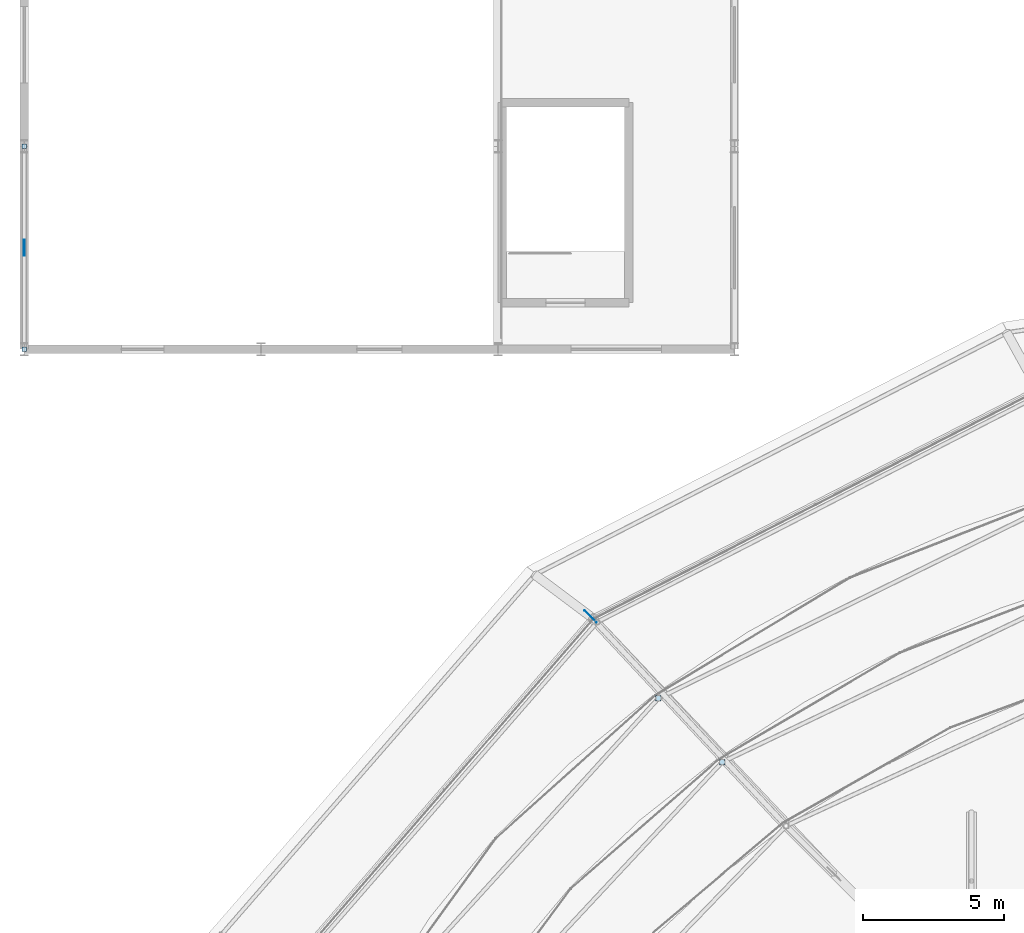
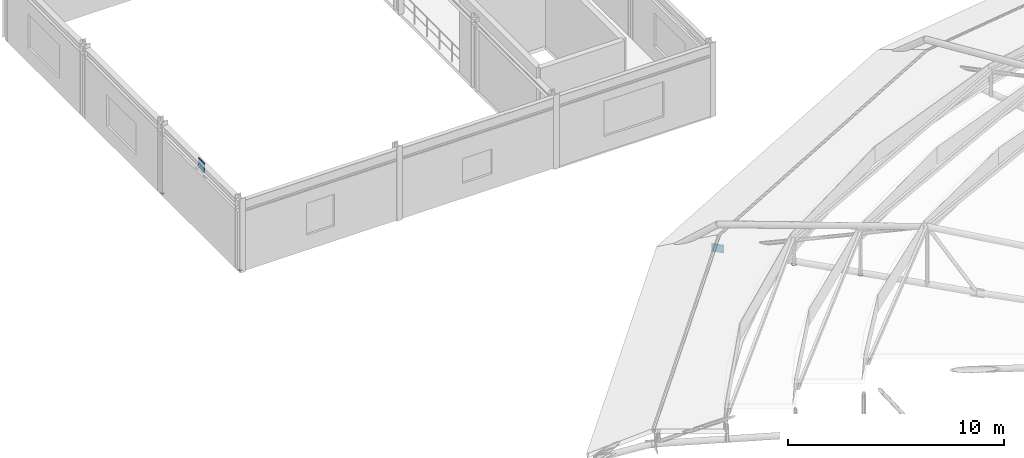
# One storey, part 119 of 134: 6 plates.
"""IFC4 building model written with IfcOpenShell, lengths in metres."""

from ifc_helpers import new_model, si_unit, derived_unit, direction, frame, origin, origin_2d, place, context, subcontext, project, spatial, rectangle, extrude, material, layer, layer_set, type_object, element, save


model = new_model("IFC4")

# Units and contexts
model_context = context("Model", 3, precision=1e-05, world=origin(), true_north=direction((0.0, 1.0)))
body_context = subcontext(model_context, "Body", "Model", "MODEL_VIEW")
ifc_project = project(units=[si_unit("LENGTHUNIT", "METRE"), si_unit("AREAUNIT", "SQUARE_METRE"), si_unit("VOLUMEUNIT", "CUBIC_METRE"), si_unit("PLANEANGLEUNIT", "RADIAN"), si_unit("MASSUNIT", "GRAM", prefix="KILO"), derived_unit("THERMALTRANSMITTANCEUNIT", [(si_unit("MASSUNIT", "GRAM", prefix="KILO"), 1), (si_unit("TIMEUNIT", "SECOND"), -3), (si_unit("THERMODYNAMICTEMPERATUREUNIT", "KELVIN"), -1)])], contexts=[model_context])

# Site, building, storey
site_placement = place(None, origin())
site = spatial("IfcSite", under=ifc_project, at=site_placement, CompositionType="ELEMENT")
building_placement = place(site_placement, origin())
building = spatial("IfcBuilding", under=site, at=building_placement, Name="Kharveza Railside Sports Centre", CompositionType="ELEMENT")
storey_placement = place(building_placement, frame((0.0, 0.0, 12.89990234375)))
storey = spatial("IfcBuildingStorey", under=building, at=storey_placement, Name="L03", CompositionType="ELEMENT", Elevation=12.89990234375)

# Plates
ifc_material = material(Name="Steel S355J2", Category="steel")
ifc_layer_1 = layer(ifc_material, 0.02001953125, Name="Steel S355J2")
ifc_layer_set_1 = layer_set([ifc_layer_1], Name="Steel S355J2")
plate_type_1 = type_object("IfcPlateType", Name="PL-EC09", PredefinedType="USERDEFINED", material=ifc_layer_set_1)
for number, where, z_axis, x_axis, name in (
    (1, (22.497314453125, 74.017333984375, -0.059814453125), (0.0, 0.0, 1.0), (1.0, 0.0, 0.0), "PLT-EC-026"),
    (2, (24.760009765625, 71.754638671875, -0.059814453125), (0.0, 0.0, 1.0), (1.0, 0.0, 0.0), "PLT-EC-042"),
):
    element("IfcPlate", number, at=place(storey_placement, frame(where, z_axis=z_axis, x_axis=x_axis)), inside=storey, type_object=plate_type_1, Name=name, ObjectType="END_CAP_PLATE", PredefinedType="USERDEFINED", context=body_context, shape_type="SweptSolid", body=[
        extrude(rectangle(XDim=0.194091796875, YDim=0.194091796875, at=origin_2d()), origin(), (0.0, 0.0, 1.0), 0.02001953125),
    ])
ifc_layer_2 = layer(ifc_material, 0.02001953125, Name="Steel S355J2")
ifc_layer_set_2 = layer_set([ifc_layer_2], Name="Steel S355J2")
plate_type_2 = type_object("IfcPlateType", Name="PL-EC11", PredefinedType="USERDEFINED", material=ifc_layer_set_2)
for number, where, z_axis, x_axis, name in (
    (3, (0.0, 86.39990234375, -0.010009765625), (0.0, 0.0, 1.0), (1.0, 0.0, 0.0), "PLT-EC-186"),
    (4, (0.0, 93.60009765625, -0.010009765625), (0.0, 0.0, 1.0), (1.0, 0.0, 0.0), "PLT-EC-187"),
):
    element("IfcPlate", number, at=place(storey_placement, frame(where, z_axis=z_axis, x_axis=x_axis)), inside=storey, type_object=plate_type_2, Name=name, ObjectType="END_CAP_PLATE", PredefinedType="USERDEFINED", context=body_context, shape_type="SweptSolid", body=[
        extrude(rectangle(XDim=0.14990234375, YDim=0.14990234375, at=origin_2d()), origin(), (0.0, 0.0, 1.0), 0.02001953125),
    ])
ifc_layer_3 = layer(ifc_material, 0.02490234375, Name="Steel S355J2")
ifc_layer_set_3 = layer_set([ifc_layer_3], Name="Steel S355J2")
plate_type_3 = type_object("IfcPlateType", Name="PL-GS02", PredefinedType="USERDEFINED", material=ifc_layer_set_3)
plate_1_placement = place(storey_placement, frame((20.09326171875, 76.91650390625, -0.27978515625), z_axis=(0.0, 0.0, 1.0), x_axis=(-0.707106781187, 0.707106781187, 0.0)))
element("IfcPlate", 5, at=plate_1_placement, inside=storey, type_object=plate_type_3, Name="PLT-GS-RAKER-07", ObjectType="GUSSET_PLATE", PredefinedType="USERDEFINED", context=body_context, shape_type="SweptSolid", body=[
    extrude(rectangle(XDim=0.60009765625, YDim=0.02490234375, at=origin_2d()), origin(), (0.0, 0.0, 1.0), 0.4599609375),
])
ifc_layer_4 = layer(ifc_material, 0.028076171875, Name="Steel S355J2")
ifc_layer_set_4 = layer_set([ifc_layer_4], Name="Steel S355J2")
plate_type_4 = type_object("IfcPlateType", Name="PL-GS05", PredefinedType="USERDEFINED", material=ifc_layer_set_4)
plate_2_placement = place(storey_placement, frame((0.0, 90.0, 3.469970703125), z_axis=(0.0, 0.0, 1.0), x_axis=(1.0, 0.0, 0.0)))
element("IfcPlate", 6, at=plate_2_placement, inside=storey, type_object=plate_type_4, Name="PLT-GS-CHEVN-026", ObjectType="GUSSET_PLATE", PredefinedType="USERDEFINED", context=body_context, shape_type="SweptSolid", body=[
    extrude(rectangle(XDim=0.028076171875, YDim=0.56005859375, at=origin_2d()), origin(), (0.0, 0.0, 1.0), 0.56005859375),
])

save(model, "model.ifc")
